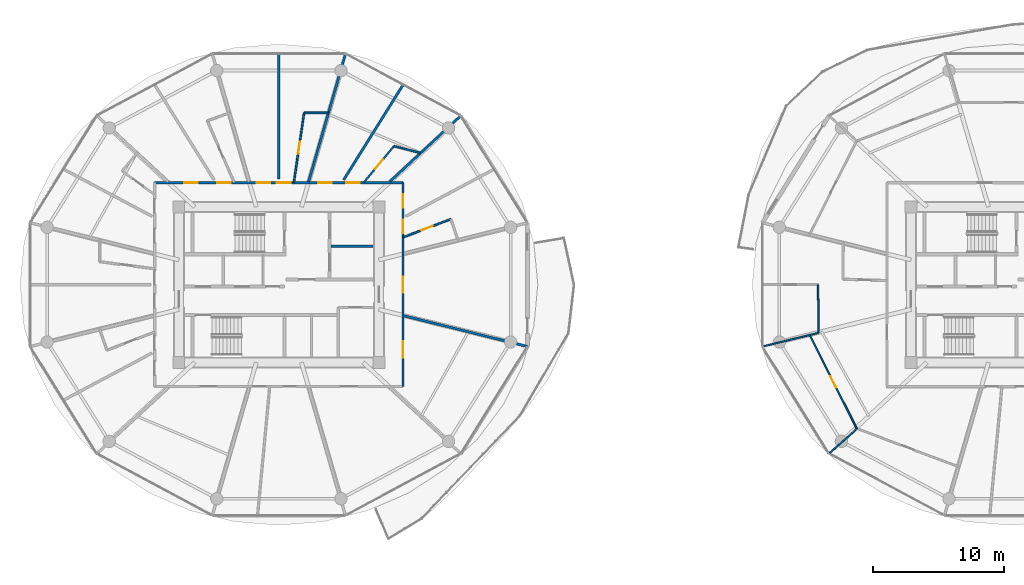
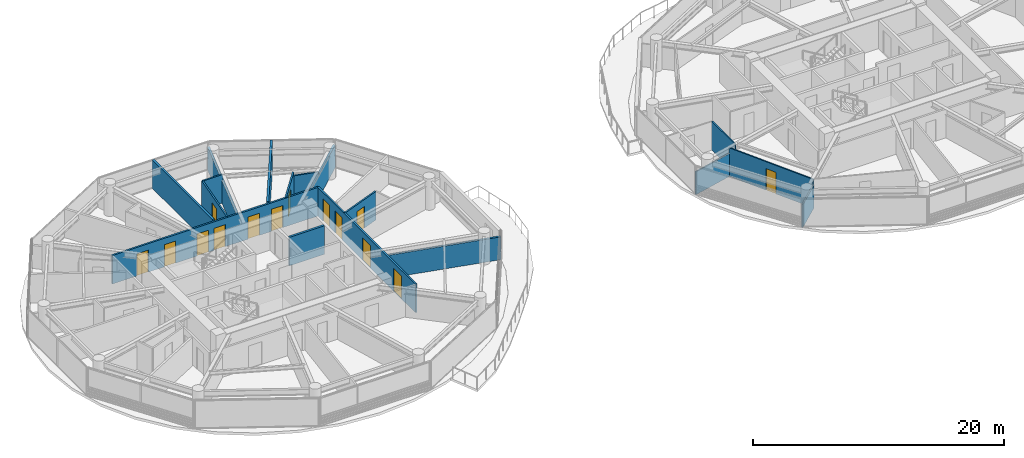
# One storey, part 17 of 27: 17 walls, 14 doors, 14 openings.
"""IFC4 building model written with IfcOpenShell, lengths in metres."""

from ifc_helpers import new_model, si_unit, direction, frame, frame_2d, origin, place, context, subcontext, project, spatial, rectangle, extrude, source, transform, mapped, material, layer, layer_set, type_object, type_shapes, element, fill, save


model = new_model("IFC4")

# Units and contexts
model_context = context("Model", 3, precision=1e-05, world=origin(), true_north=direction((0.0, 1.0)))
body_context = subcontext(model_context, "Body", "Model", "MODEL_VIEW")
ifc_project = project(units=[si_unit("LENGTHUNIT", "METRE"), si_unit("AREAUNIT", "SQUARE_METRE"), si_unit("VOLUMEUNIT", "CUBIC_METRE"), si_unit("PLANEANGLEUNIT", "RADIAN"), si_unit("MASSUNIT", "GRAM", prefix="KILO")], contexts=[model_context])

# Site, building, storey
site_placement = place(None, origin())
site = spatial("IfcSite", under=ifc_project, at=site_placement, CompositionType="ELEMENT")
building_placement = place(site_placement, origin())
building = spatial("IfcBuilding", under=site, at=building_placement, Name="Norrkilde Senior Care Towers", CompositionType="ELEMENT")
storey_placement = place(building_placement, frame((0.0, 0.0, 61.25)))
storey = spatial("IfcBuildingStorey", under=building, at=storey_placement, Name="L18", CompositionType="ELEMENT", Elevation=61.25)

# Wall
ifc_material_1 = material(Name="Concrete C45/55", Category="concrete")
ifc_layer_1 = layer(ifc_material_1, 0.199951171875)
ifc_layer_set_1 = layer_set([ifc_layer_1], Name="Concrete C45/55")
wall_type_1 = type_object("IfcWallType", Name="Shaft Division and Plant Partition 200", PredefinedType="PARTITIONING", material=ifc_layer_set_1)
shared_shape_1 = source(origin(), body_context, "Body", "SweptSolid", [
    extrude(rectangle(XDim=3.199951171875, YDim=0.199951171875, at=frame_2d((1.60009765625, 0.0))), origin(), (0.0, 0.0, 1.0), 2.77490234375),
])
type_shapes(wall_type_1, [shared_shape_1])
wall_1_placement = place(storey_placement, frame((-24.0, 2.949951171875, 0.0), z_axis=(0.0, 0.0, 1.0), x_axis=(1.0, 0.0, 0.0)))
element("IfcWall", 1, at=wall_1_placement, inside=storey, type_object=wall_type_1, Name="WL-INT-L18-W-FFLDIV", PredefinedType="PARTITIONING", context=body_context, shape_type="MappedRepresentation", body=[
    mapped(shared_shape_1, transform((0.0, 0.0, 0.0), x_axis=(1.0, 0.0, 0.0), y_axis=(0.0, 1.0, 0.0), z_axis=(0.0, 0.0, 1.0), scale=1.0)),
])

# Wall, openings, doors
ifc_material_2 = material(Name="Gypsum Acoustic Board")
ifc_layer_2 = layer(ifc_material_2, 0.1650390625)
ifc_layer_set_2 = layer_set([ifc_layer_2], Name="Gypsum Acoustic Board")
wall_type_2 = type_object("IfcWallType", Name="Corridor Rated Partition 165", PredefinedType="PARTITIONING", material=ifc_layer_set_2)
shared_shape_2 = source(origin(), body_context, "Body", "SweptSolid", [
    extrude(rectangle(XDim=19.0, YDim=0.1650390625, at=frame_2d((9.5, 0.0))), origin(), (0.0, 0.0, 1.0), 2.77490234375),
])
wall_2_placement = place(storey_placement, frame((-37.5, 7.800048828125, 0.0), z_axis=(0.0, 0.0, 1.0), x_axis=(1.0, 0.0, 0.0)))
wall_2 = element("IfcWall", 2, at=wall_2_placement, inside=storey, type_object=wall_type_2, Name="WL-INT-L18-W-CRW-N-0", PredefinedType="PARTITIONING", context=body_context, shape_type="MappedRepresentation", body=[
    mapped(shared_shape_2, transform((0.0, 0.0, 0.0), x_axis=(1.0, 0.0, 0.0), y_axis=(0.0, 1.0, 0.0), z_axis=(0.0, 0.0, 1.0), scale=1.0)),
])
opening_1_placement = place(wall_2_placement, frame((14.6533203125, 0.0, 0.0)))
opening_1 = element("IfcOpeningElement", 3, at=opening_1_placement, cuts=wall_2, Name="Opening D-06", PredefinedType="OPENING", context=body_context, shape_type="SweptSolid", body=[
    extrude(rectangle(XDim=1.050048828125, YDim=2.14990234375, at=frame_2d((0.52490234375, 1.074951171875))), frame((0.0, 0.092529296875, 0.0), z_axis=(0.0, -1.0, 0.0), x_axis=(1.0, 0.0, 0.0)), (0.0, 0.0, 1.0), 0.18505859375),
])
opening_2_placement = place(wall_2_placement, frame((12.499755859375, 0.0, 0.0)))
opening_2 = element("IfcOpeningElement", 4, at=opening_2_placement, cuts=wall_2, Name="Opening D-06", PredefinedType="OPENING", context=body_context, shape_type="SweptSolid", body=[
    extrude(rectangle(XDim=1.050048828125, YDim=2.14990234375, at=frame_2d((0.52490234375, 1.074951171875))), frame((0.0, 0.092529296875, 0.0), z_axis=(0.0, -1.0, 0.0), x_axis=(1.0, 0.0, 0.0)), (0.0, 0.0, 1.0), 0.18505859375),
])
opening_3_placement = place(wall_2_placement, frame((9.351806640625, 0.0, 0.0)))
opening_3 = element("IfcOpeningElement", 5, at=opening_3_placement, cuts=wall_2, Name="Opening D-06", PredefinedType="OPENING", context=body_context, shape_type="SweptSolid", body=[
    extrude(rectangle(XDim=1.050048828125, YDim=2.14990234375, at=frame_2d((0.52490234375, 1.074951171875))), frame((0.0, 0.092529296875, 0.0), z_axis=(0.0, -1.0, 0.0), x_axis=(1.0, 0.0, 0.0)), (0.0, 0.0, 1.0), 0.18505859375),
])
opening_4_placement = place(wall_2_placement, frame((7.806396484375, 0.0, 0.0)))
opening_4 = element("IfcOpeningElement", 6, at=opening_4_placement, cuts=wall_2, Name="Opening D-06", PredefinedType="OPENING", context=body_context, shape_type="SweptSolid", body=[
    extrude(rectangle(XDim=1.050048828125, YDim=2.14990234375, at=frame_2d((0.52490234375, 1.074951171875))), frame((0.0, 0.092529296875, 0.0), z_axis=(0.0, -1.0, 0.0), x_axis=(1.0, 0.0, 0.0)), (0.0, 0.0, 1.0), 0.18505859375),
])
opening_5_placement = place(wall_2_placement, frame((4.77294921875, 0.0, 0.0)))
opening_5 = element("IfcOpeningElement", 7, at=opening_5_placement, cuts=wall_2, Name="Opening D-06", PredefinedType="OPENING", context=body_context, shape_type="SweptSolid", body=[
    extrude(rectangle(XDim=1.050048828125, YDim=2.14990234375, at=frame_2d((0.52490234375, 1.074951171875))), frame((0.0, 0.092529296875, 0.0), z_axis=(0.0, -1.0, 0.0), x_axis=(1.0, 0.0, 0.0)), (0.0, 0.0, 1.0), 0.18505859375),
])
opening_6_placement = place(wall_2_placement, frame((2.251220703125, 0.0, 0.0)))
opening_6 = element("IfcOpeningElement", 8, at=opening_6_placement, cuts=wall_2, Name="Opening D-06", PredefinedType="OPENING", context=body_context, shape_type="SweptSolid", body=[
    extrude(rectangle(XDim=1.050048828125, YDim=2.14990234375, at=frame_2d((0.52490234375, 1.074951171875))), frame((0.0, 0.092529296875, 0.0), z_axis=(0.0, -1.0, 0.0), x_axis=(1.0, 0.0, 0.0)), (0.0, 0.0, 1.0), 0.18505859375),
])
ifc_material_3 = material(Name="Nordic Ash Timber", Category="wood")
door_type_1 = type_object("IfcDoorType", Name="Apartment Entrance Fire Door 1050x2150", OperationType="NOTDEFINED", PredefinedType="DOOR", material=ifc_material_3)
shared_shape_3 = source(origin(), body_context, "Body", "SweptSolid", [
    extrude(rectangle(XDim=1.050048828125, YDim=2.14990234375, at=frame_2d((0.52490234375, 1.074951171875))), frame((0.0, 0.02490234375, 0.0), z_axis=(0.0, -1.0, 0.0), x_axis=(1.0, 0.0, 0.0)), (0.0, 0.0, 1.0), 0.050048828125),
])
type_shapes(door_type_1, [shared_shape_3])
door_1_placement = place(opening_1_placement, frame((1.050048828125, 0.0, 0.0), z_axis=(0.0, 0.0, 1.0), x_axis=(-1.0, 0.0, 0.0)))
door_1 = element("IfcDoor", 9, at=door_1_placement, inside=storey, type_object=door_type_1, Name="L18 Care Suite 1801A Entrance Door", OperationType="SINGLE_SWING_LEFT", OverallHeight=2.14990234375, OverallWidth=1.050048828125, PredefinedType="DOOR", context=body_context, shape_type="MappedRepresentation", body=[
    mapped(shared_shape_3, transform((0.0, 0.0, 0.0), x_axis=(1.0, 0.0, 0.0), y_axis=(0.0, 1.0, 0.0), z_axis=(0.0, 0.0, 1.0), scale=1.0)),
])
fill(opening_1, door_1)
door_2_placement = place(opening_2_placement, frame((1.050048828125, 0.0, 0.0), z_axis=(0.0, 0.0, 1.0), x_axis=(-1.0, 0.0, 0.0)))
door_2 = element("IfcDoor", 10, at=door_2_placement, inside=storey, type_object=door_type_1, Name="L18 Therapy Day Lounge 01 Door", OperationType="SINGLE_SWING_LEFT", OverallHeight=2.14990234375, OverallWidth=1.050048828125, PredefinedType="DOOR", context=body_context, shape_type="MappedRepresentation", body=[
    mapped(shared_shape_3, transform((0.0, 0.0, 0.0), x_axis=(1.0, 0.0, 0.0), y_axis=(0.0, 1.0, 0.0), z_axis=(0.0, 0.0, 1.0), scale=1.0)),
])
fill(opening_2, door_2)
door_3_placement = place(opening_3_placement, frame((1.050048828125, 0.0, 0.0), z_axis=(0.0, 0.0, 1.0), x_axis=(-1.0, 0.0, 0.0)))
door_3 = element("IfcDoor", 11, at=door_3_placement, inside=storey, type_object=door_type_1, Name="L18 Care Suite 1802A Entrance Door", OperationType="SINGLE_SWING_RIGHT", OverallHeight=2.14990234375, OverallWidth=1.050048828125, PredefinedType="DOOR", context=body_context, shape_type="MappedRepresentation", body=[
    mapped(shared_shape_3, transform((0.0, 0.0, 0.0), x_axis=(1.0, 0.0, 0.0), y_axis=(0.0, 1.0, 0.0), z_axis=(0.0, 0.0, 1.0), scale=1.0)),
])
fill(opening_3, door_3)
door_4_placement = place(opening_4_placement, frame((1.050048828125, 0.0, 0.0), z_axis=(0.0, 0.0, 1.0), x_axis=(-1.0, 0.0, 0.0)))
door_4 = element("IfcDoor", 12, at=door_4_placement, inside=storey, type_object=door_type_1, Name="L18 Therapy Day Lounge 02 Door", OperationType="SINGLE_SWING_RIGHT", OverallHeight=2.14990234375, OverallWidth=1.050048828125, PredefinedType="DOOR", context=body_context, shape_type="MappedRepresentation", body=[
    mapped(shared_shape_3, transform((0.0, 0.0, 0.0), x_axis=(1.0, 0.0, 0.0), y_axis=(0.0, 1.0, 0.0), z_axis=(0.0, 0.0, 1.0), scale=1.0)),
])
fill(opening_4, door_4)
door_5_placement = place(opening_5_placement, frame((1.050048828125, 0.0, 0.0), z_axis=(0.0, 0.0, 1.0), x_axis=(-1.0, 0.0, 0.0)))
door_5 = element("IfcDoor", 13, at=door_5_placement, inside=storey, type_object=door_type_1, Name="L18 Care Suite 1803A Entrance Door", OperationType="SINGLE_SWING_LEFT", OverallHeight=2.14990234375, OverallWidth=1.050048828125, PredefinedType="DOOR", context=body_context, shape_type="MappedRepresentation", body=[
    mapped(shared_shape_3, transform((0.0, 0.0, 0.0), x_axis=(1.0, 0.0, 0.0), y_axis=(0.0, 1.0, 0.0), z_axis=(0.0, 0.0, 1.0), scale=1.0)),
])
fill(opening_5, door_5)
door_6_placement = place(opening_6_placement, frame((1.050048828125, 0.0, 0.0), z_axis=(0.0, 0.0, 1.0), x_axis=(-1.0, 0.0, 0.0)))
door_6 = element("IfcDoor", 14, at=door_6_placement, inside=storey, type_object=door_type_1, Name="L18 Therapy Day Lounge 03 Door", OperationType="SINGLE_SWING_LEFT", OverallHeight=2.14990234375, OverallWidth=1.050048828125, PredefinedType="DOOR", context=body_context, shape_type="MappedRepresentation", body=[
    mapped(shared_shape_3, transform((0.0, 0.0, 0.0), x_axis=(1.0, 0.0, 0.0), y_axis=(0.0, 1.0, 0.0), z_axis=(0.0, 0.0, 1.0), scale=1.0)),
])
fill(opening_6, door_6)

shared_shape_4 = source(origin(), body_context, "Body", "SweptSolid", [
    extrude(rectangle(XDim=15.60009765625, YDim=0.1650390625, at=frame_2d((7.800048828125, 0.0))), origin(), (0.0, 0.0, 1.0), 2.77490234375),
])
type_shapes(wall_type_2, [shared_shape_2, shared_shape_4])
wall_3_placement = place(storey_placement, frame((-18.5, 7.800048828125, 0.0), z_axis=(0.0, 0.0, 1.0), x_axis=(0.0, -1.0, 0.0)))
wall_3 = element("IfcWall", 15, at=wall_3_placement, inside=storey, type_object=wall_type_2, Name="WL-INT-L18-W-CRW-E-0", PredefinedType="PARTITIONING", context=body_context, shape_type="MappedRepresentation", body=[
    mapped(shared_shape_4, transform((0.0, 0.0, 0.0), x_axis=(1.0, 0.0, 0.0), y_axis=(0.0, 1.0, 0.0), z_axis=(0.0, 0.0, 1.0), scale=1.0)),
])
opening_7_placement = place(wall_3_placement, frame((12.141357421875, 0.0, 0.0)))
opening_7 = element("IfcOpeningElement", 16, at=opening_7_placement, cuts=wall_3, Name="Opening D-05", PredefinedType="OPENING", context=body_context, shape_type="SweptSolid", body=[
    extrude(rectangle(XDim=1.25, YDim=2.199951171875, at=frame_2d((0.625, 1.10009765625))), frame((0.0, 0.092529296875, 0.0), z_axis=(0.0, -1.0, 0.0), x_axis=(1.0, 0.0, 0.0)), (0.0, 0.0, 1.0), 0.18505859375),
])
opening_8_placement = place(wall_3_placement, frame((7.175048828125, 0.0, 0.0)))
opening_8 = element("IfcOpeningElement", 17, at=opening_8_placement, cuts=wall_3, Name="Opening D-05", PredefinedType="OPENING", context=body_context, shape_type="SweptSolid", body=[
    extrude(rectangle(XDim=1.25, YDim=2.199951171875, at=frame_2d((0.625, 1.10009765625))), frame((0.0, 0.092529296875, 0.0), z_axis=(0.0, -1.0, 0.0), x_axis=(1.0, 0.0, 0.0)), (0.0, 0.0, 1.0), 0.18505859375),
])
opening_9_placement = place(wall_3_placement, frame((2.826416015625, 0.0, 0.0)))
opening_9 = element("IfcOpeningElement", 18, at=opening_9_placement, cuts=wall_3, Name="Opening D-06", PredefinedType="OPENING", context=body_context, shape_type="SweptSolid", body=[
    extrude(rectangle(XDim=1.050048828125, YDim=2.14990234375, at=frame_2d((0.52490234375, 1.074951171875))), frame((0.0, 0.092529296875, 0.0), z_axis=(0.0, -1.0, 0.0), x_axis=(1.0, 0.0, 0.0)), (0.0, 0.0, 1.0), 0.18505859375),
])
opening_10_placement = place(wall_3_placement, frame((0.88134765625, 0.0, 0.0)))
opening_10 = element("IfcOpeningElement", 19, at=opening_10_placement, cuts=wall_3, Name="Opening D-06", PredefinedType="OPENING", context=body_context, shape_type="SweptSolid", body=[
    extrude(rectangle(XDim=1.050048828125, YDim=2.14990234375, at=frame_2d((0.52490234375, 1.074951171875))), frame((0.0, 0.092529296875, 0.0), z_axis=(0.0, -1.0, 0.0), x_axis=(1.0, 0.0, 0.0)), (0.0, 0.0, 1.0), 0.18505859375),
])
door_type_2 = type_object("IfcDoorType", Name="Care Bedroom Bariatric Door 1250x2200", OperationType="NOTDEFINED", PredefinedType="DOOR", material=ifc_material_3)
shared_shape_5 = source(origin(), body_context, "Body", "SweptSolid", [
    extrude(rectangle(XDim=1.25, YDim=2.199951171875, at=frame_2d((0.625, 1.10009765625))), frame((0.0, 0.02490234375, 0.0), z_axis=(0.0, -1.0, 0.0), x_axis=(1.0, 0.0, 0.0)), (0.0, 0.0, 1.0), 0.050048828125),
])
type_shapes(door_type_2, [shared_shape_5])
door_7_placement = place(opening_7_placement, frame((1.25, 0.0, 0.0), z_axis=(0.0, 0.0, 1.0), x_axis=(-1.0, 0.0, 0.0)))
door_7 = element("IfcDoor", 20, at=door_7_placement, inside=storey, type_object=door_type_2, Name="L18 Household Communal Dining Salon Door", OperationType="SINGLE_SWING_LEFT", OverallHeight=2.199951171875, OverallWidth=1.25, PredefinedType="DOOR", context=body_context, shape_type="MappedRepresentation", body=[
    mapped(shared_shape_5, transform((0.0, 0.0, 0.0), x_axis=(1.0, 0.0, 0.0), y_axis=(0.0, 1.0, 0.0), z_axis=(0.0, 0.0, 1.0), scale=1.0)),
])
fill(opening_7, door_7)
door_8_placement = place(opening_8_placement, frame((1.25, 0.0, 0.0), z_axis=(0.0, 0.0, 1.0), x_axis=(-1.0, 0.0, 0.0)))
door_8 = element("IfcDoor", 21, at=door_8_placement, inside=storey, type_object=door_type_2, Name="L18 Household Therapeutic Kitchen Door", OperationType="SINGLE_SWING_RIGHT", OverallHeight=2.199951171875, OverallWidth=1.25, PredefinedType="DOOR", context=body_context, shape_type="MappedRepresentation", body=[
    mapped(shared_shape_5, transform((0.0, 0.0, 0.0), x_axis=(1.0, 0.0, 0.0), y_axis=(0.0, 1.0, 0.0), z_axis=(0.0, 0.0, 1.0), scale=1.0)),
])
fill(opening_8, door_8)
door_9_placement = place(opening_9_placement, frame((1.050048828125, 0.0, 0.0), z_axis=(0.0, 0.0, 1.0), x_axis=(-1.0, 0.0, 0.0)))
door_9 = element("IfcDoor", 22, at=door_9_placement, inside=storey, type_object=door_type_1, Name="L18 Care Suite 1800A Entrance Door", OperationType="SINGLE_SWING_RIGHT", OverallHeight=2.14990234375, OverallWidth=1.050048828125, PredefinedType="DOOR", context=body_context, shape_type="MappedRepresentation", body=[
    mapped(shared_shape_3, transform((0.0, 0.0, 0.0), x_axis=(1.0, 0.0, 0.0), y_axis=(0.0, 1.0, 0.0), z_axis=(0.0, 0.0, 1.0), scale=1.0)),
])
fill(opening_9, door_9)
door_10_placement = place(opening_10_placement, frame((1.050048828125, 0.0, 0.0), z_axis=(0.0, 0.0, 1.0), x_axis=(-1.0, 0.0, 0.0)))
door_10 = element("IfcDoor", 23, at=door_10_placement, inside=storey, type_object=door_type_1, Name="L18 Therapy Day Lounge 00 Door", OperationType="SINGLE_SWING_RIGHT", OverallHeight=2.14990234375, OverallWidth=1.050048828125, PredefinedType="DOOR", context=body_context, shape_type="MappedRepresentation", body=[
    mapped(shared_shape_3, transform((0.0, 0.0, 0.0), x_axis=(1.0, 0.0, 0.0), y_axis=(0.0, 1.0, 0.0), z_axis=(0.0, 0.0, 1.0), scale=1.0)),
])
fill(opening_10, door_10)

# Wall
ifc_layer_3 = layer(ifc_material_2, 0.18994140625)
ifc_layer_set_3 = layer_set([ifc_layer_3], Name="Gypsum Acoustic Board")
wall_type_3 = type_object("IfcWallType", Name="Unit Demising Acoustic Wall 190", PredefinedType="PARTITIONING", material=ifc_layer_set_3)
shared_shape_6 = source(origin(), body_context, "Body", "SweptSolid", [
    extrude(rectangle(XDim=8.59814453125, YDim=0.18994140625, at=frame_2d((4.299072265625, 0.0))), origin(), (0.0, 0.0, 1.0), 2.77490234375),
])
wall_4_placement = place(storey_placement, frame((-23.04296875, 8.017333984375, 0.0), z_axis=(0.0, 0.0, 1.0), x_axis=(0.530039776395, 0.847972779893, 0.0)))
element("IfcWall", 24, at=wall_4_placement, inside=storey, type_object=wall_type_3, Name="WL-INT-L18-W-CMID-01", PredefinedType="PARTITIONING", context=body_context, shape_type="MappedRepresentation", body=[
    mapped(shared_shape_6, transform((0.0, 0.0, 0.0), x_axis=(1.0, 0.0, 0.0), y_axis=(0.0, 1.0, 0.0), z_axis=(0.0, 0.0, 1.0), scale=1.0)),
])

# Wall, opening, door
ifc_layer_4 = layer(ifc_material_2, 0.139892578125)
ifc_layer_set_4 = layer_set([ifc_layer_4], Name="Gypsum Acoustic Board")
wall_type_4 = type_object("IfcWallType", Name="En-suite Wet Room Wall 140", PredefinedType="PARTITIONING", material=ifc_layer_set_4)
shared_shape_7 = source(origin(), body_context, "Body", "SweptSolid", [
    extrude(rectangle(XDim=3.594482421875, YDim=0.139892578125, at=frame_2d((1.79736328125, 0.0))), origin(), (0.0, 0.0, 1.0), 2.77490234375),
])
wall_5_placement = place(storey_placement, frame((-21.49560546875, 7.830078125, 0.0), z_axis=(0.0, 0.0, 1.0), x_axis=(0.639001147083, 0.769205781326, 0.0)))
wall_5 = element("IfcWall", 25, at=wall_5_placement, inside=storey, type_object=wall_type_4, Name="WL-INT-L18-W-ES-01A", PredefinedType="PARTITIONING", context=body_context, shape_type="MappedRepresentation", body=[
    mapped(shared_shape_7, transform((0.0, 0.0, 0.0), x_axis=(1.0, 0.0, 0.0), y_axis=(0.0, 1.0, 0.0), z_axis=(0.0, 0.0, 1.0), scale=1.0)),
])
opening_11_placement = place(wall_5_placement, frame((1.33740234375, 0.0, 0.0)))
opening_11 = element("IfcOpeningElement", 26, at=opening_11_placement, cuts=wall_5, Name="Opening D-08", PredefinedType="OPENING", context=body_context, shape_type="SweptSolid", body=[
    extrude(rectangle(XDim=0.919921875, YDim=2.10009765625, at=frame_2d((0.4599609375, 1.050048828125))), frame((0.0, 0.079833984375, 0.0), z_axis=(0.0, -1.0, 0.0), x_axis=(1.0, 0.0, 0.0)), (0.0, 0.0, 1.0), 0.159912109375),
])
door_type_3 = type_object("IfcDoorType", Name="Accessible Wet Room Door 920x2100", OperationType="NOTDEFINED", PredefinedType="DOOR", material=ifc_material_3)
shared_shape_8 = source(origin(), body_context, "Body", "SweptSolid", [
    extrude(rectangle(XDim=0.919921875, YDim=2.10009765625, at=frame_2d((0.4599609375, 1.050048828125))), frame((0.0, 0.02490234375, 0.0), z_axis=(0.0, -1.0, 0.0), x_axis=(1.0, 0.0, 0.0)), (0.0, 0.0, 1.0), 0.050048828125),
])
type_shapes(door_type_3, [shared_shape_8])
door_11_placement = place(opening_11_placement, origin())
door_11 = element("IfcDoor", 27, at=door_11_placement, inside=storey, type_object=door_type_3, Name="L18 Care Suite 1801A Bathroom Door", OperationType="SINGLE_SWING_RIGHT", OverallHeight=2.10009765625, OverallWidth=0.919921875, PredefinedType="DOOR", context=body_context, shape_type="MappedRepresentation", body=[
    mapped(shared_shape_8, transform((0.0, 0.0, 0.0), x_axis=(1.0, 0.0, 0.0), y_axis=(0.0, 1.0, 0.0), z_axis=(0.0, 0.0, 1.0), scale=1.0)),
])
fill(opening_11, door_11)

shared_shape_9 = source(origin(), body_context, "Body", "SweptSolid", [
    extrude(rectangle(XDim=3.8740234375, YDim=0.139892578125, at=frame_2d((1.93701171875, 0.0))), origin(), (0.0, 0.0, 1.0), 2.77490234375),
])
wall_6_placement = place(storey_placement, frame((-18.469970703125, 3.631591796875, 0.0), z_axis=(0.0, 0.0, 1.0), x_axis=(0.934461775659, 0.35606346321, 0.0)))
wall_6 = element("IfcWall", 28, at=wall_6_placement, inside=storey, type_object=wall_type_4, Name="WL-INT-L18-W-ES-00A", PredefinedType="PARTITIONING", context=body_context, shape_type="MappedRepresentation", body=[
    mapped(shared_shape_9, transform((0.0, 0.0, 0.0), x_axis=(1.0, 0.0, 0.0), y_axis=(0.0, 1.0, 0.0), z_axis=(0.0, 0.0, 1.0), scale=1.0)),
])
opening_12_placement = place(wall_6_placement, frame((1.47705078125, 0.0, 0.0)))
opening_12 = element("IfcOpeningElement", 29, at=opening_12_placement, cuts=wall_6, Name="Opening D-08", PredefinedType="OPENING", context=body_context, shape_type="SweptSolid", body=[
    extrude(rectangle(XDim=0.919921875, YDim=2.10009765625, at=frame_2d((0.4599609375, 1.050048828125))), frame((0.0, 0.079833984375, 0.0), z_axis=(0.0, -1.0, 0.0), x_axis=(1.0, 0.0, 0.0)), (0.0, 0.0, 1.0), 0.159912109375),
])
door_12_placement = place(opening_12_placement, origin())
door_12 = element("IfcDoor", 30, at=door_12_placement, inside=storey, type_object=door_type_3, Name="L18 Care Suite 1800A Bathroom Door", OperationType="SINGLE_SWING_LEFT", OverallHeight=2.10009765625, OverallWidth=0.919921875, PredefinedType="DOOR", context=body_context, shape_type="MappedRepresentation", body=[
    mapped(shared_shape_8, transform((0.0, 0.0, 0.0), x_axis=(1.0, 0.0, 0.0), y_axis=(0.0, 1.0, 0.0), z_axis=(0.0, 0.0, 1.0), scale=1.0)),
])
fill(opening_12, door_12)

ifc_layer_5 = layer(ifc_material_2, 0.114990234375)
ifc_layer_set_5 = layer_set([ifc_layer_5], Name="Gypsum Acoustic Board")
wall_type_5 = type_object("IfcWallType", Name="Internal Room Partition 115", PredefinedType="PARTITIONING", material=ifc_layer_set_5)
shared_shape_10 = source(origin(), body_context, "Body", "SweptSolid", [
    extrude(rectangle(XDim=8.017822265625, YDim=0.114990234375, at=frame_2d((4.0087890625, 0.0))), origin(), (0.0, 0.0, 1.0), 2.77490234375),
])
wall_7_placement = place(storey_placement, frame((12.595947265625, -3.854248046875, 0.0), z_axis=(0.0, 0.0, 1.0), x_axis=(0.450134355233, -0.89296084026, 0.0)))
wall_7 = element("IfcWall", 31, at=wall_7_placement, inside=storey, type_object=wall_type_5, Name="WL-INT-L18-E-UBC-05-1", PredefinedType="PARTITIONING", context=body_context, shape_type="MappedRepresentation", body=[
    mapped(shared_shape_10, transform((0.0, 0.0, 0.0), x_axis=(1.0, 0.0, 0.0), y_axis=(0.0, 1.0, 0.0), z_axis=(0.0, 0.0, 1.0), scale=1.0)),
])
opening_13_placement = place(wall_7_placement, frame((3.533935546875, 0.0, 0.0)))
opening_13 = element("IfcOpeningElement", 32, at=opening_13_placement, cuts=wall_7, Name="Opening D-07", PredefinedType="OPENING", context=body_context, shape_type="SweptSolid", body=[
    extrude(rectangle(XDim=0.949951171875, YDim=2.10009765625, at=frame_2d((0.47509765625, 1.050048828125))), frame((0.0, 0.0673828125, 0.0), z_axis=(0.0, -1.0, 0.0), x_axis=(1.0, 0.0, 0.0)), (0.0, 0.0, 1.0), 0.135009765625),
])
door_type_4 = type_object("IfcDoorType", Name="Internal Suite Bedroom Door 950x2100", OperationType="NOTDEFINED", PredefinedType="DOOR", material=ifc_material_3)
shared_shape_11 = source(origin(), body_context, "Body", "SweptSolid", [
    extrude(rectangle(XDim=0.949951171875, YDim=2.10009765625, at=frame_2d((0.47509765625, 1.050048828125))), frame((0.0, 0.02490234375, 0.0), z_axis=(0.0, -1.0, 0.0), x_axis=(1.0, 0.0, 0.0)), (0.0, 0.0, 1.0), 0.050048828125),
])
type_shapes(door_type_4, [shared_shape_11])
door_13_placement = place(opening_13_placement, origin())
door_13 = element("IfcDoor", 33, at=door_13_placement, inside=storey, type_object=door_type_4, Name="Apartment 18A Bedroom 1 Door", OperationType="SINGLE_SWING_LEFT", OverallHeight=2.10009765625, OverallWidth=0.949951171875, PredefinedType="DOOR", context=body_context, shape_type="MappedRepresentation", body=[
    mapped(shared_shape_11, transform((0.0, 0.0, 0.0), x_axis=(1.0, 0.0, 0.0), y_axis=(0.0, 1.0, 0.0), z_axis=(0.0, 0.0, 1.0), scale=1.0)),
])
fill(opening_13, door_13)

# Walls
shared_shape_12 = source(origin(), body_context, "Body", "SweptSolid", [
    extrude(rectangle(XDim=7.4345703125, YDim=0.18994140625, at=frame_2d((3.71728515625, 0.0))), origin(), (0.0, 0.0, 1.0), 2.22509765625),
])
wall_8_placement = place(storey_placement, frame((-19.51708984375, 7.8798828125, 0.0), z_axis=(0.0, 0.0, 1.0), x_axis=(0.732651956848, 0.680603489652, 0.0)))
element("IfcWall", 34, at=wall_8_placement, inside=storey, type_object=wall_type_3, Name="WL-INT-L18-W-DEM-01-0", PredefinedType="PARTITIONING", context=body_context, shape_type="MappedRepresentation", body=[
    mapped(shared_shape_12, transform((0.0, 0.0, 0.0), x_axis=(1.0, 0.0, 0.0), y_axis=(0.0, 1.0, 0.0), z_axis=(0.0, 0.0, 1.0), scale=1.0)),
])
shared_shape_13 = source(origin(), body_context, "Body", "SweptSolid", [
    extrude(rectangle(XDim=10.196044921875, YDim=0.18994140625, at=frame_2d((5.09814453125, 0.0))), origin(), (0.0, 0.0, 1.0), 2.22509765625),
])
wall_9_placement = place(storey_placement, frame((-25.72705078125, 7.8798828125, 0.0), z_axis=(0.0, 0.0, 1.0), x_axis=(0.277136420347, 0.960830580549, 0.0)))
element("IfcWall", 35, at=wall_9_placement, inside=storey, type_object=wall_type_3, Name="WL-INT-L18-W-DEM-02-0", PredefinedType="PARTITIONING", context=body_context, shape_type="MappedRepresentation", body=[
    mapped(shared_shape_13, transform((0.0, 0.0, 0.0), x_axis=(1.0, 0.0, 0.0), y_axis=(0.0, 1.0, 0.0), z_axis=(0.0, 0.0, 1.0), scale=1.0)),
])
shared_shape_14 = source(origin(), body_context, "Body", "SweptSolid", [
    extrude(rectangle(XDim=2.06201171875, YDim=0.139892578125, at=frame_2d((1.031005859375, 0.0))), origin(), (0.0, 0.0, 1.0), 2.4150390625),
])
wall_10_placement = place(storey_placement, frame((-19.19873046875, 10.594970703125, 0.0), z_axis=(0.0, 0.0, 1.0), x_axis=(0.968776253543, -0.247936626121, 0.0)))
element("IfcWall", 36, at=wall_10_placement, inside=storey, type_object=wall_type_4, Name="WL-INT-L18-W-EF-01A", PredefinedType="PARTITIONING", context=body_context, shape_type="MappedRepresentation", body=[
    mapped(shared_shape_14, transform((0.0, 0.0, 0.0), x_axis=(1.0, 0.0, 0.0), y_axis=(0.0, 1.0, 0.0), z_axis=(0.0, 0.0, 1.0), scale=1.0)),
])
shared_shape_15 = source(origin(), body_context, "Body", "SweptSolid", [
    extrude(rectangle(XDim=9.737060546875, YDim=0.18994140625, at=frame_2d((4.86865234375, 0.0))), origin(), (0.0, 0.0, 1.0), 2.22509765625),
])
wall_11_placement = place(storey_placement, frame((-18.419921875, -2.384521484375, 0.0), z_axis=(0.0, 0.0, 1.0), x_axis=(0.970392716238, -0.241532557375, 0.0)))
element("IfcWall", 37, at=wall_11_placement, inside=storey, type_object=wall_type_3, Name="WL-INT-L18-W-DEM-11-0", PredefinedType="PARTITIONING", context=body_context, shape_type="MappedRepresentation", body=[
    mapped(shared_shape_15, transform((0.0, 0.0, 0.0), x_axis=(1.0, 0.0, 0.0), y_axis=(0.0, 1.0, 0.0), z_axis=(0.0, 0.0, 1.0), scale=1.0)),
])
shared_shape_16 = source(origin(), body_context, "Body", "SweptSolid", [
    extrude(rectangle(XDim=2.887451171875, YDim=0.114990234375, at=frame_2d((1.44384765625, 0.0))), origin(), (0.0, 0.0, 1.0), 2.22509765625),
])
wall_12_placement = place(storey_placement, frame((16.2138671875, -11.005615234375, 0.0), z_axis=(0.0, 0.0, 1.0), x_axis=(-0.742448503307, -0.669903142205, 0.0)))
element("IfcWall", 38, at=wall_12_placement, inside=storey, type_object=wall_type_5, Name="WL-INT-L18-E-UBR-05-2", PredefinedType="PARTITIONING", context=body_context, shape_type="MappedRepresentation", body=[
    mapped(shared_shape_16, transform((0.0, 0.0, 0.0), x_axis=(1.0, 0.0, 0.0), y_axis=(0.0, 1.0, 0.0), z_axis=(0.0, 0.0, 1.0), scale=1.0)),
])
shared_shape_17 = source(origin(), body_context, "Body", "SweptSolid", [
    extrude(rectangle(XDim=9.6005859375, YDim=0.18994140625, at=frame_2d((4.80029296875, 0.0))), origin(), (0.0, 0.0, 1.0), 2.77490234375),
])
type_shapes(wall_type_3, [shared_shape_6, shared_shape_12, shared_shape_13, shared_shape_15, shared_shape_17])
wall_13_placement = place(storey_placement, frame((-28.0, 8.075927734375, 0.0), z_axis=(0.0, 0.0, 1.0), x_axis=(0.0, 1.0, 0.0)))
element("IfcWall", 39, at=wall_13_placement, inside=storey, type_object=wall_type_3, Name="WL-INT-L18-W-CMID-02", PredefinedType="PARTITIONING", context=body_context, shape_type="MappedRepresentation", body=[
    mapped(shared_shape_17, transform((0.0, 0.0, 0.0), x_axis=(1.0, 0.0, 0.0), y_axis=(0.0, 1.0, 0.0), z_axis=(0.0, 0.0, 1.0), scale=1.0)),
])

# Wall, opening, door
shared_shape_18 = source(origin(), body_context, "Body", "SweptSolid", [
    extrude(rectangle(XDim=5.36962890625, YDim=0.139892578125, at=frame_2d((2.684814453125, 0.0))), origin(), (0.0, 0.0, 1.0), 2.77490234375),
])
wall_14_placement = place(storey_placement, frame((-26.851318359375, 7.830078125, 0.0), z_axis=(0.0, 0.0, 1.0), x_axis=(0.145131397853, 0.989412389935, 0.0)))
wall_14 = element("IfcWall", 40, at=wall_14_placement, inside=storey, type_object=wall_type_4, Name="WL-INT-L18-W-ES-02A", PredefinedType="PARTITIONING", context=body_context, shape_type="MappedRepresentation", body=[
    mapped(shared_shape_18, transform((0.0, 0.0, 0.0), x_axis=(1.0, 0.0, 0.0), y_axis=(0.0, 1.0, 0.0), z_axis=(0.0, 0.0, 1.0), scale=1.0)),
])
opening_14_placement = place(wall_14_placement, frame((2.224853515625, 0.0, 0.0)))
opening_14 = element("IfcOpeningElement", 41, at=opening_14_placement, cuts=wall_14, Name="Opening D-08", PredefinedType="OPENING", context=body_context, shape_type="SweptSolid", body=[
    extrude(rectangle(XDim=0.919921875, YDim=2.10009765625, at=frame_2d((0.4599609375, 1.050048828125))), frame((0.0, 0.079833984375, 0.0), z_axis=(0.0, -1.0, 0.0), x_axis=(1.0, 0.0, 0.0)), (0.0, 0.0, 1.0), 0.159912109375),
])
door_14_placement = place(opening_14_placement, origin())
door_14 = element("IfcDoor", 42, at=door_14_placement, inside=storey, type_object=door_type_3, Name="L18 Care Suite 1802A Bathroom Door", OperationType="SINGLE_SWING_LEFT", OverallHeight=2.10009765625, OverallWidth=0.919921875, PredefinedType="DOOR", context=body_context, shape_type="MappedRepresentation", body=[
    mapped(shared_shape_8, transform((0.0, 0.0, 0.0), x_axis=(1.0, 0.0, 0.0), y_axis=(0.0, 1.0, 0.0), z_axis=(0.0, 0.0, 1.0), scale=1.0)),
])
fill(opening_14, door_14)

# Walls
shared_shape_19 = source(origin(), body_context, "Body", "SweptSolid", [
    extrude(rectangle(XDim=1.842529296875, YDim=0.139892578125, at=frame_2d((0.92138671875, 0.0))), origin(), (0.0, 0.0, 1.0), 2.77490234375),
])
type_shapes(wall_type_4, [shared_shape_7, shared_shape_9, shared_shape_14, shared_shape_18, shared_shape_19])
wall_15_placement = place(storey_placement, frame((-26.072021484375, 13.142822265625, 0.0), z_axis=(0.0, 0.0, 1.0), x_axis=(0.999998937801, -0.001457531246, 0.0)))
element("IfcWall", 43, at=wall_15_placement, inside=storey, type_object=wall_type_4, Name="WL-INT-L18-W-EF-02A", PredefinedType="PARTITIONING", context=body_context, shape_type="MappedRepresentation", body=[
    mapped(shared_shape_19, transform((0.0, 0.0, 0.0), x_axis=(1.0, 0.0, 0.0), y_axis=(0.0, 1.0, 0.0), z_axis=(0.0, 0.0, 1.0), scale=1.0)),
])
shared_shape_20 = source(origin(), body_context, "Body", "SweptSolid", [
    extrude(rectangle(XDim=4.4140625, YDim=0.114990234375, at=frame_2d((2.20703125, 0.0))), origin(), (0.0, 0.0, 1.0), 2.22509765625),
])
wall_16_placement = place(storey_placement, frame((13.259033203125, -3.688232421875, 0.0), z_axis=(0.0, 0.0, 1.0), x_axis=(-0.971401274504, -0.237443812073, 0.0)))
element("IfcWall", 44, at=wall_16_placement, inside=storey, type_object=wall_type_5, Name="WL-INT-L18-E-UBR-05-1", PredefinedType="PARTITIONING", context=body_context, shape_type="MappedRepresentation", body=[
    mapped(shared_shape_20, transform((0.0, 0.0, 0.0), x_axis=(1.0, 0.0, 0.0), y_axis=(0.0, 1.0, 0.0), z_axis=(0.0, 0.0, 1.0), scale=1.0)),
])
shared_shape_21 = source(origin(), body_context, "Body", "SweptSolid", [
    extrude(rectangle(XDim=3.688720703125, YDim=0.114990234375, at=frame_2d((1.84423828125, 0.0))), origin(), (0.0, 0.0, 1.0), 2.77490234375),
])
type_shapes(wall_type_5, [shared_shape_10, shared_shape_16, shared_shape_20, shared_shape_21])
wall_17_placement = place(storey_placement, frame((13.25, 0.0, 0.0), z_axis=(0.0, 0.0, 1.0), x_axis=(0.001919382261, -0.999998157984, 0.0)))
element("IfcWall", 45, at=wall_17_placement, inside=storey, type_object=wall_type_5, Name="WL-INT-L18-E-UKTF-05", PredefinedType="PARTITIONING", context=body_context, shape_type="MappedRepresentation", body=[
    mapped(shared_shape_21, transform((0.0, 0.0, 0.0), x_axis=(1.0, 0.0, 0.0), y_axis=(0.0, 1.0, 0.0), z_axis=(0.0, 0.0, 1.0), scale=1.0)),
])

save(model, "model.ifc")
